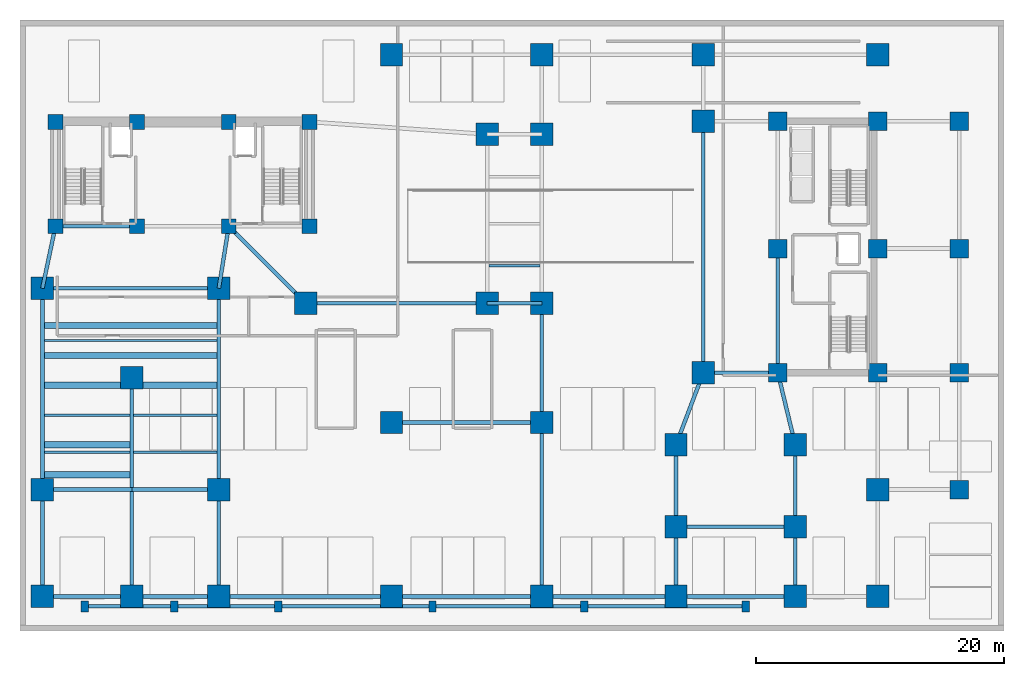
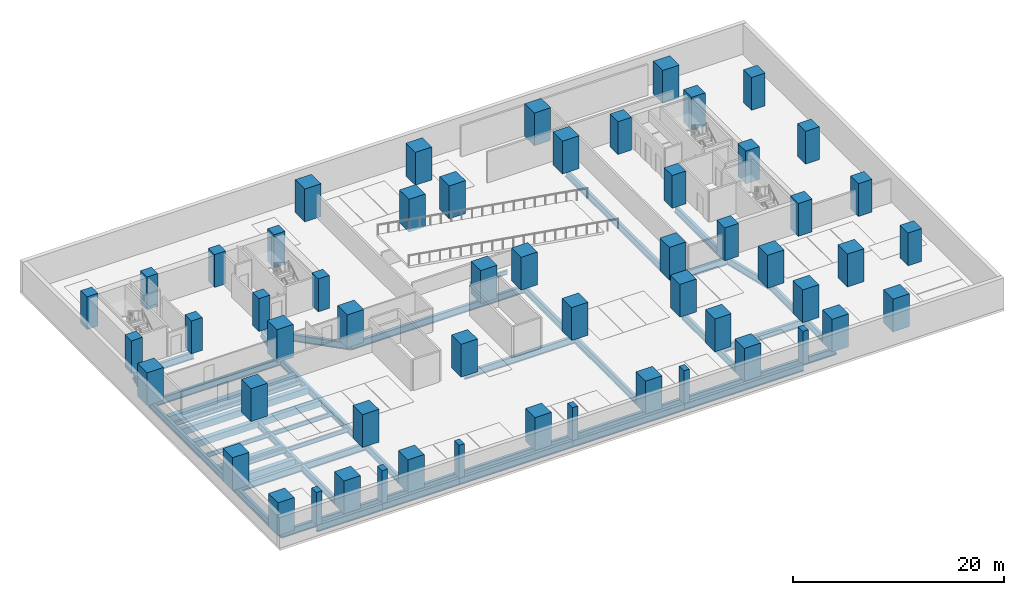
# One storey, part 1 of 9: 55 columns, 48 beams.
"""IFC4 building model written with IfcOpenShell, lengths in metres."""

from ifc_helpers import new_model, si_unit, direction, frame, origin, origin_2d, place, context, subcontext, project, spatial, rectangle, i_section, extrude, material, material_profile, profile_set, type_object, element, save


model = new_model("IFC4")

# Units and contexts
model_context = context("Model", 3, precision=1e-05, world=origin(), true_north=direction((0.0, 1.0)))
body_context = subcontext(model_context, "Body", "Model", "MODEL_VIEW")
ifc_project = project(units=[si_unit("LENGTHUNIT", "METRE"), si_unit("AREAUNIT", "SQUARE_METRE"), si_unit("VOLUMEUNIT", "CUBIC_METRE"), si_unit("PLANEANGLEUNIT", "RADIAN"), si_unit("MASSUNIT", "GRAM", prefix="KILO")], contexts=[model_context])

# Site, building, storey
site_placement = place(None, origin())
site = spatial("IfcSite", under=ifc_project, at=site_placement, CompositionType="ELEMENT")
building_placement = place(site_placement, origin())
building = spatial("IfcBuilding", under=site, at=building_placement, Name="Kuzgunbayir Cultural Tower", CompositionType="ELEMENT")
storey_placement = place(building_placement, frame((0.0, 0.0, -7.60009765625)))
storey = spatial("IfcBuildingStorey", under=building, at=storey_placement, Name="B02", CompositionType="ELEMENT", Elevation=-7.60009765625)

# Columns
ifc_material_1 = material(Name="Concrete C60/75", Category="concrete")
ifc_material_profile_1 = material_profile(ifc_material_1, rectangle(XDim=1.199951171875, YDim=1.199951171875, at=origin_2d()), Name="RC 1200x1200")
ifc_profile_set_1 = profile_set([ifc_material_profile_1], Name="Concrete C60/75")
column_type_1 = type_object("IfcColumnType", Name="COL-CORE-1200", PredefinedType="COLUMN", material=ifc_profile_set_1)
for number, where, z_axis, x_axis, name in (
    (1, (6.449951171875, 33.800048828125, 0.0), (0.0, 0.0, 1.0), (1.0, 0.0, 0.0), "B02 T1 Core Boundary Column CC1-1"),
    (2, (13.0, 33.800048828125, 0.0), (0.0, 0.0, 1.0), (1.0, 0.0, 0.0), "B02 T1 Core Boundary Column CC1-2"),
    (3, (20.39990234375, 33.800048828125, 0.0), (0.0, 0.0, 1.0), (1.0, 0.0, 0.0), "B02 T1 Core Boundary Column CC1-3"),
    (4, (26.89990234375, 33.800048828125, 0.0), (0.0, 0.0, 1.0), (1.0, 0.0, 0.0), "B02 T1 Core Boundary Column CC1-4"),
    (5, (6.449951171875, 42.199951171875, 0.0), (0.0, 0.0, 1.0), (1.0, 0.0, 0.0), "B02 T1 Core Boundary Column CC1-5"),
    (6, (13.0, 42.199951171875, 0.0), (0.0, 0.0, 1.0), (1.0, 0.0, 0.0), "B02 T1 Core Boundary Column CC1-6"),
    (7, (20.39990234375, 42.199951171875, 0.0), (0.0, 0.0, 1.0), (1.0, 0.0, 0.0), "B02 T1 Core Boundary Column CC1-7"),
    (8, (26.89990234375, 42.199951171875, 0.0), (0.0, 0.0, 1.0), (1.0, 0.0, 0.0), "B02 T1 Core Boundary Column CC1-8"),
):
    element("IfcColumn", number, at=place(storey_placement, frame(where, z_axis=z_axis, x_axis=x_axis)), inside=storey, type_object=column_type_1, Name=name, PredefinedType="COLUMN", context=body_context, shape_type="SweptSolid", body=[
        extrude(rectangle(XDim=1.199951171875, YDim=1.199951171875, at=origin_2d()), origin(), (0.0, 0.0, 1.0), 3.800048828125),
    ])
ifc_material_profile_2 = material_profile(ifc_material_1, rectangle(XDim=1.5, YDim=1.5, at=origin_2d()), Name="RC 1500x1500")
ifc_profile_set_2 = profile_set([ifc_material_profile_2], Name="Concrete C60/75")
column_type_2 = type_object("IfcColumnType", Name="COL-MEGA-1500", PredefinedType="COLUMN", material=ifc_profile_set_2)
for number, where, z_axis, x_axis, name in (
    (9, (64.60009765625, 22.0, 0.0), (0.0, 0.0, 1.0), (1.0, 0.0, 0.0), "B02 T2 Core Boundary Column CC2-1"),
    (10, (72.64990234375, 22.0, 0.0), (0.0, 0.0, 1.0), (1.0, 0.0, 0.0), "B02 T2 Core Boundary Column CC2-2"),
    (11, (64.60009765625, 32.0, 0.0), (0.0, 0.0, 1.0), (1.0, 0.0, 0.0), "B02 T2 Core Boundary Column CC2-3"),
    (12, (72.64990234375, 32.0, 0.0), (0.0, 0.0, 1.0), (1.0, 0.0, 0.0), "B02 T2 Core Boundary Column CC2-4"),
    (13, (64.60009765625, 42.25, 0.0), (0.0, 0.0, 1.0), (1.0, 0.0, 0.0), "B02 T2 Core Boundary Column CC2-5"),
    (14, (72.64990234375, 42.25, 0.0), (0.0, 0.0, 1.0), (1.0, 0.0, 0.0), "B02 T2 Core Boundary Column CC2-6"),
    (15, (79.199951171875, 12.60009765625, 0.0), (0.0, 0.0, 1.0), (1.0, 0.0, 0.0), "B02 East Substructure Column 1"),
    (16, (79.199951171875, 22.0, 0.0), (0.0, 0.0, 1.0), (1.0, 0.0, 0.0), "B02 East Substructure Column 2"),
    (17, (79.199951171875, 32.0, 0.0), (0.0, 0.0, 1.0), (1.0, 0.0, 0.0), "B02 East Substructure Column 3"),
    (18, (79.199951171875, 42.25, 0.0), (0.0, 0.0, 1.0), (1.0, 0.0, 0.0), "B02 East Substructure Column 4"),
):
    element("IfcColumn", number, at=place(storey_placement, frame(where, z_axis=z_axis, x_axis=x_axis)), inside=storey, type_object=column_type_2, Name=name, PredefinedType="COLUMN", context=body_context, shape_type="SweptSolid", body=[
        extrude(rectangle(XDim=1.5, YDim=1.5, at=origin_2d()), origin(), (0.0, 0.0, 1.0), 3.800048828125),
    ])
ifc_material_profile_3 = material_profile(ifc_material_1, rectangle(XDim=1.800048828125, YDim=1.800048828125, at=origin_2d()), Name="RC 1800x1800")
ifc_profile_set_3 = profile_set([ifc_material_profile_3], Name="Concrete C60/75")
column_type_3 = type_object("IfcColumnType", Name="COL-MEGA-1800", PredefinedType="COLUMN", material=ifc_profile_set_3)
for number, where, z_axis, x_axis, name in (
    (19, (5.39990234375, 12.60009765625, 0.0), (0.0, 0.0, 1.0), (1.0, 0.0, 0.0), "B02 Podium Mega-Column PC-T1A-SW"),
    (20, (19.60009765625, 12.60009765625, 0.0), (0.0, 0.0, 1.0), (1.0, 0.0, 0.0), "B02 Podium Mega-Column PC-T1A-SE"),
    (21, (5.39990234375, 28.800048828125, 0.0), (0.0, 0.0, 1.0), (1.0, 0.0, 0.0), "B02 Podium Mega-Column PC-T1A-NW"),
    (22, (19.60009765625, 28.800048828125, 0.0), (0.0, 0.0, 1.0), (1.0, 0.0, 0.0), "B02 Podium Mega-Column PC-T1A-NE"),
    (23, (26.60009765625, 27.60009765625, 0.0), (0.0, 0.0, 1.0), (1.0, 0.0, 0.0), "B02 Podium Mega-Column PC-T1B-1S"),
    (24, (41.199951171875, 27.60009765625, 0.0), (0.0, 0.0, 1.0), (1.0, 0.0, 0.0), "B02 Podium Mega-Column PC-T1B-4S"),
    (25, (45.60009765625, 27.60009765625, 0.0), (0.0, 0.0, 1.0), (1.0, 0.0, 0.0), "B02 Podium Mega-Column PC-T1B-5S"),
    (26, (41.199951171875, 41.199951171875, 0.0), (0.0, 0.0, 1.0), (1.0, 0.0, 0.0), "B02 Podium Mega-Column PC-T1B-4N"),
    (27, (45.60009765625, 41.199951171875, 0.0), (0.0, 0.0, 1.0), (1.0, 0.0, 0.0), "B02 Podium Mega-Column PC-T1B-5N"),
    (28, (58.60009765625, 22.0, 0.0), (0.0, 0.0, 1.0), (1.0, 0.0, 0.0), "B02 Podium Mega-Column PC-T2A-SW"),
    (29, (58.60009765625, 42.25, 0.0), (0.0, 0.0, 1.0), (1.0, 0.0, 0.0), "B02 Podium Mega-Column PC-T2A-NW"),
    (30, (56.39990234375, 9.60009765625, 0.0), (0.0, 0.0, 1.0), (1.0, 0.0, 0.0), "B02 Podium Mega-Column PC-T2B-SW"),
    (31, (66.0, 9.60009765625, 0.0), (0.0, 0.0, 1.0), (1.0, 0.0, 0.0), "B02 Podium Mega-Column PC-T2B-SE"),
    (32, (56.39990234375, 16.199951171875, 0.0), (0.0, 0.0, 1.0), (1.0, 0.0, 0.0), "B02 Podium Mega-Column PC-T2B-MW"),
    (33, (66.0, 16.199951171875, 0.0), (0.0, 0.0, 1.0), (1.0, 0.0, 0.0), "B02 Podium Mega-Column PC-T2B-ME"),
    (34, (5.39990234375, 4.0, 0.0), (0.0, 0.0, 1.0), (1.0, 0.0, 0.0), "B02 Podium Mega-Column PC-P01"),
    (35, (12.60009765625, 4.0, 0.0), (0.0, 0.0, 1.0), (1.0, 0.0, 0.0), "B02 Podium Mega-Column PC-P02"),
    (36, (19.60009765625, 4.0, 0.0), (0.0, 0.0, 1.0), (1.0, 0.0, 0.0), "B02 Podium Mega-Column PC-P03"),
    (37, (33.5, 4.0, 0.0), (0.0, 0.0, 1.0), (1.0, 0.0, 0.0), "B02 Podium Mega-Column PC-P04"),
    (38, (45.60009765625, 4.0, 0.0), (0.0, 0.0, 1.0), (1.0, 0.0, 0.0), "B02 Podium Mega-Column PC-P05"),
    (39, (56.39990234375, 4.0, 0.0), (0.0, 0.0, 1.0), (1.0, 0.0, 0.0), "B02 Podium Mega-Column PC-P06"),
    (40, (66.0, 4.0, 0.0), (0.0, 0.0, 1.0), (1.0, 0.0, 0.0), "B02 Podium Mega-Column PC-P07"),
    (41, (72.64990234375, 4.0, 0.0), (0.0, 0.0, 1.0), (1.0, 0.0, 0.0), "B02 Podium Mega-Column PC-P08"),
    (42, (12.60009765625, 21.60009765625, 0.0), (0.0, 0.0, 1.0), (1.0, 0.0, 0.0), "B02 Podium Mega-Column PC-P09"),
    (43, (33.5, 18.0, 0.0), (0.0, 0.0, 1.0), (1.0, 0.0, 0.0), "B02 Podium Mega-Column PC-P10"),
    (44, (45.60009765625, 18.0, 0.0), (0.0, 0.0, 1.0), (1.0, 0.0, 0.0), "B02 Podium Mega-Column PC-P11"),
    (45, (72.64990234375, 12.60009765625, 0.0), (0.0, 0.0, 1.0), (1.0, 0.0, 0.0), "B02 Podium Mega-Column PC-P12"),
    (46, (33.5, 47.60009765625, 0.0), (0.0, 0.0, 1.0), (1.0, 0.0, 0.0), "B02 Podium Mega-Column PC-P13"),
    (47, (45.60009765625, 47.60009765625, 0.0), (0.0, 0.0, 1.0), (1.0, 0.0, 0.0), "B02 Podium Mega-Column PC-P14"),
    (48, (58.60009765625, 47.60009765625, 0.0), (0.0, 0.0, 1.0), (1.0, 0.0, 0.0), "B02 Podium Mega-Column PC-P15"),
    (49, (72.64990234375, 47.60009765625, 0.0), (0.0, 0.0, 1.0), (1.0, 0.0, 0.0), "B02 Podium Mega-Column PC-P16"),
):
    element("IfcColumn", number, at=place(storey_placement, frame(where, z_axis=z_axis, x_axis=x_axis)), inside=storey, type_object=column_type_3, Name=name, PredefinedType="COLUMN", context=body_context, shape_type="SweptSolid", body=[
        extrude(rectangle(XDim=1.800048828125, YDim=1.800048828125, at=origin_2d()), origin(), (0.0, 0.0, 1.0), 3.800048828125),
    ])
ifc_material_profile_4 = material_profile(ifc_material_1, rectangle(XDim=0.60009765625, YDim=0.89990234375, at=origin_2d()), Name="RC 600x900")
ifc_profile_set_4 = profile_set([ifc_material_profile_4], Name="Concrete C60/75")
column_type_4 = type_object("IfcColumnType", Name="COL-PILASTER-INT", PredefinedType="PILASTER", material=ifc_profile_set_4)
for number, where, z_axis, x_axis, name in (
    (50, (8.800048828125, 3.199951171875, 0.0), (0.0, 0.0, 1.0), (1.0, 0.0, 0.0), "B02 South Facade Pilaster 1"),
    (51, (16.0, 3.199951171875, 0.0), (0.0, 0.0, 1.0), (1.0, 0.0, 0.0), "B02 South Facade Pilaster 2"),
    (52, (24.39990234375, 3.199951171875, 0.0), (0.0, 0.0, 1.0), (1.0, 0.0, 0.0), "B02 South Facade Pilaster 3"),
    (53, (36.800048828125, 3.199951171875, 0.0), (0.0, 0.0, 1.0), (1.0, 0.0, 0.0), "B02 South Facade Pilaster 4"),
    (54, (49.0, 3.199951171875, 0.0), (0.0, 0.0, 1.0), (1.0, 0.0, 0.0), "B02 South Facade Pilaster 5"),
    (55, (62.0, 3.199951171875, 0.0), (0.0, 0.0, 1.0), (1.0, 0.0, 0.0), "B02 South Facade Pilaster 6"),
):
    element("IfcColumn", number, at=place(storey_placement, frame(where, z_axis=z_axis, x_axis=x_axis)), inside=storey, type_object=column_type_4, Name=name, PredefinedType="PILASTER", context=body_context, shape_type="SweptSolid", body=[
        extrude(rectangle(XDim=0.60009765625, YDim=0.89990234375, at=origin_2d()), origin(), (0.0, 0.0, 1.0), 3.800048828125),
    ])

# Beams
ifc_material_2 = material(Name="Steel S460M", Category="steel")
ifc_material_profile_5 = material_profile(ifc_material_2, i_section(OverallWidth=0.302978515625, OverallDepth=0.81396484375, WebThickness=0.02099609375, FlangeThickness=0.0400390625, FilletRadius=0.030029296875, at=origin_2d()), Name="HEM 800")
ifc_profile_set_5 = profile_set([ifc_material_profile_5], Name="Steel S460M")
beam_type_1 = type_object("IfcBeamType", Name="BM-GIR-HEM800", PredefinedType="BEAM", material=ifc_profile_set_5)
beam_1_placement = place(storey_placement, frame((5.39990234375, 4.0, -0.659912109375), z_axis=(1.0, 0.0, 0.0), x_axis=(0.0, 1.0, 0.0)))
element("IfcBeam", 56, at=beam_1_placement, inside=storey, type_object=beam_type_1, Name="B02 Podium South Girder 1", PredefinedType="BEAM", context=body_context, shape_type="SweptSolid", body=[
    extrude(i_section(OverallWidth=0.302978515625, OverallDepth=0.81396484375, WebThickness=0.02099609375, FlangeThickness=0.0400390625, FilletRadius=0.030029296875, at=origin_2d()), origin(), (0.0, 0.0, 1.0), 7.2001953125),
])
beam_2_placement = place(storey_placement, frame((12.60009765625, 4.0, -0.659912109375), z_axis=(1.0, 0.0, 0.0), x_axis=(0.0, 1.0, 0.0)))
element("IfcBeam", 57, at=beam_2_placement, inside=storey, type_object=beam_type_1, Name="B02 Podium South Girder 2", PredefinedType="BEAM", context=body_context, shape_type="SweptSolid", body=[
    extrude(i_section(OverallWidth=0.302978515625, OverallDepth=0.81396484375, WebThickness=0.02099609375, FlangeThickness=0.0400390625, FilletRadius=0.030029296875, at=origin_2d()), origin(), (0.0, 0.0, 1.0), 7.0),
])
beam_3_placement = place(storey_placement, frame((19.60009765625, 4.0, -0.659912109375), z_axis=(1.0, 0.0, 0.0), x_axis=(0.0, 1.0, 0.0)))
element("IfcBeam", 58, at=beam_3_placement, inside=storey, type_object=beam_type_1, Name="B02 Podium South Girder 3", PredefinedType="BEAM", context=body_context, shape_type="SweptSolid", body=[
    extrude(i_section(OverallWidth=0.302978515625, OverallDepth=0.81396484375, WebThickness=0.02099609375, FlangeThickness=0.0400390625, FilletRadius=0.030029296875, at=origin_2d()), origin(), (0.0, 0.0, 1.0), 13.89990234375),
])
beam_4_placement = place(storey_placement, frame((33.5, 4.0, -0.659912109375), z_axis=(1.0, 0.0, 0.0), x_axis=(0.0, 1.0, 0.0)))
element("IfcBeam", 59, at=beam_4_placement, inside=storey, type_object=beam_type_1, Name="B02 Podium South Girder 4", PredefinedType="BEAM", context=body_context, shape_type="SweptSolid", body=[
    extrude(i_section(OverallWidth=0.302978515625, OverallDepth=0.81396484375, WebThickness=0.02099609375, FlangeThickness=0.0400390625, FilletRadius=0.030029296875, at=origin_2d()), origin(), (0.0, 0.0, 1.0), 12.10009765625),
])
beam_5_placement = place(storey_placement, frame((45.60009765625, 4.0, -0.659912109375), z_axis=(1.0, 0.0, 0.0), x_axis=(0.0, 1.0, 0.0)))
element("IfcBeam", 60, at=beam_5_placement, inside=storey, type_object=beam_type_1, Name="B02 Podium South Girder 5", PredefinedType="BEAM", context=body_context, shape_type="SweptSolid", body=[
    extrude(i_section(OverallWidth=0.302978515625, OverallDepth=0.81396484375, WebThickness=0.02099609375, FlangeThickness=0.0400390625, FilletRadius=0.030029296875, at=origin_2d()), origin(), (0.0, 0.0, 1.0), 10.7998046875),
])
beam_6_placement = place(storey_placement, frame((56.39990234375, 4.0, -0.659912109375), z_axis=(1.0, 0.0, 0.0), x_axis=(0.0, 1.0, 0.0)))
element("IfcBeam", 61, at=beam_6_placement, inside=storey, type_object=beam_type_1, Name="B02 Podium South Girder 6", PredefinedType="BEAM", context=body_context, shape_type="SweptSolid", body=[
    extrude(i_section(OverallWidth=0.302978515625, OverallDepth=0.81396484375, WebThickness=0.02099609375, FlangeThickness=0.0400390625, FilletRadius=0.030029296875, at=origin_2d()), origin(), (0.0, 0.0, 1.0), 9.60009765625),
])
beam_7_placement = place(storey_placement, frame((8.800048828125, 3.199951171875, -0.659912109375), z_axis=(1.0, 0.0, 0.0), x_axis=(0.0, 1.0, 0.0)))
element("IfcBeam", 62, at=beam_7_placement, inside=storey, type_object=beam_type_1, Name="B02 South Edge Girder 1", PredefinedType="BEAM", context=body_context, shape_type="SweptSolid", body=[
    extrude(i_section(OverallWidth=0.302978515625, OverallDepth=0.81396484375, WebThickness=0.02099609375, FlangeThickness=0.0400390625, FilletRadius=0.030029296875, at=origin_2d()), origin(), (0.0, 0.0, 1.0), 7.199951171875),
])
beam_8_placement = place(storey_placement, frame((16.0, 3.199951171875, -0.659912109375), z_axis=(1.0, 0.0, 0.0), x_axis=(0.0, 1.0, 0.0)))
element("IfcBeam", 63, at=beam_8_placement, inside=storey, type_object=beam_type_1, Name="B02 South Edge Girder 2", PredefinedType="BEAM", context=body_context, shape_type="SweptSolid", body=[
    extrude(i_section(OverallWidth=0.302978515625, OverallDepth=0.81396484375, WebThickness=0.02099609375, FlangeThickness=0.0400390625, FilletRadius=0.030029296875, at=origin_2d()), origin(), (0.0, 0.0, 1.0), 8.39990234375),
])
beam_9_placement = place(storey_placement, frame((24.39990234375, 3.199951171875, -0.659912109375), z_axis=(1.0, 0.0, 0.0), x_axis=(0.0, 1.0, 0.0)))
element("IfcBeam", 64, at=beam_9_placement, inside=storey, type_object=beam_type_1, Name="B02 South Edge Girder 3", PredefinedType="BEAM", context=body_context, shape_type="SweptSolid", body=[
    extrude(i_section(OverallWidth=0.302978515625, OverallDepth=0.81396484375, WebThickness=0.02099609375, FlangeThickness=0.0400390625, FilletRadius=0.030029296875, at=origin_2d()), origin(), (0.0, 0.0, 1.0), 12.400146484375),
])
beam_10_placement = place(storey_placement, frame((36.800048828125, 3.199951171875, -0.659912109375), z_axis=(1.0, 0.0, 0.0), x_axis=(0.0, 1.0, 0.0)))
element("IfcBeam", 65, at=beam_10_placement, inside=storey, type_object=beam_type_1, Name="B02 South Edge Girder 4", PredefinedType="BEAM", context=body_context, shape_type="SweptSolid", body=[
    extrude(i_section(OverallWidth=0.302978515625, OverallDepth=0.81396484375, WebThickness=0.02099609375, FlangeThickness=0.0400390625, FilletRadius=0.030029296875, at=origin_2d()), origin(), (0.0, 0.0, 1.0), 12.199951171875),
])
beam_11_placement = place(storey_placement, frame((49.0, 3.199951171875, -0.659912109375), z_axis=(1.0, 0.0, 0.0), x_axis=(0.0, 1.0, 0.0)))
element("IfcBeam", 66, at=beam_11_placement, inside=storey, type_object=beam_type_1, Name="B02 South Edge Girder 5", PredefinedType="BEAM", context=body_context, shape_type="SweptSolid", body=[
    extrude(i_section(OverallWidth=0.302978515625, OverallDepth=0.81396484375, WebThickness=0.02099609375, FlangeThickness=0.0400390625, FilletRadius=0.030029296875, at=origin_2d()), origin(), (0.0, 0.0, 1.0), 13.0),
])
beam_12_placement = place(storey_placement, frame((5.39990234375, 12.60009765625, -0.659912109375), z_axis=(1.0, 0.0, 0.0), x_axis=(0.0, 1.0, 0.0)))
element("IfcBeam", 67, at=beam_12_placement, inside=storey, type_object=beam_type_1, Name="B02 Podium Primary Girder 1", PredefinedType="BEAM", context=body_context, shape_type="SweptSolid", body=[
    extrude(i_section(OverallWidth=0.302978515625, OverallDepth=0.81396484375, WebThickness=0.02099609375, FlangeThickness=0.0400390625, FilletRadius=0.030029296875, at=origin_2d()), origin(), (0.0, 0.0, 1.0), 7.2001953125),
])
beam_13_placement = place(storey_placement, frame((12.60009765625, 12.60009765625, -0.659912109375), z_axis=(1.0, 0.0, 0.0), x_axis=(0.0, 1.0, 0.0)))
element("IfcBeam", 68, at=beam_13_placement, inside=storey, type_object=beam_type_1, Name="B02 Podium Primary Girder 2", PredefinedType="BEAM", context=body_context, shape_type="SweptSolid", body=[
    extrude(i_section(OverallWidth=0.302978515625, OverallDepth=0.81396484375, WebThickness=0.02099609375, FlangeThickness=0.0400390625, FilletRadius=0.030029296875, at=origin_2d()), origin(), (0.0, 0.0, 1.0), 7.0),
])
beam_14_placement = place(storey_placement, frame((5.39990234375, 28.800048828125, -0.659912109375), z_axis=(1.0, 0.0, 0.0), x_axis=(0.0, 1.0, 0.0)))
element("IfcBeam", 69, at=beam_14_placement, inside=storey, type_object=beam_type_1, Name="B02 Podium Primary Girder 3", PredefinedType="BEAM", context=body_context, shape_type="SweptSolid", body=[
    extrude(i_section(OverallWidth=0.302978515625, OverallDepth=0.81396484375, WebThickness=0.02099609375, FlangeThickness=0.0400390625, FilletRadius=0.030029296875, at=origin_2d()), origin(), (0.0, 0.0, 1.0), 14.2001953125),
])
for number, where, z_axis, x_axis, name in (
    (70, (5.39990234375, 12.60009765625, -0.659912109375), (0.0, 1.0, 0.0), (-1.0, 0.0, 0.0), "B02 Podium Primary Girder 4"),
    (71, (19.60009765625, 12.60009765625, -0.659912109375), (0.0, 1.0, 0.0), (-1.0, 0.0, 0.0), "B02 Podium Primary Girder 5"),
):
    element("IfcBeam", number, at=place(storey_placement, frame(where, z_axis=z_axis, x_axis=x_axis)), inside=storey, type_object=beam_type_1, Name=name, PredefinedType="BEAM", context=body_context, shape_type="SweptSolid", body=[
        extrude(i_section(OverallWidth=0.302978515625, OverallDepth=0.81396484375, WebThickness=0.02099609375, FlangeThickness=0.0400390625, FilletRadius=0.030029296875, at=origin_2d()), origin(), (0.0, 0.0, 1.0), 16.199951171875),
    ])
beam_15_placement = place(storey_placement, frame((12.60009765625, 12.60009765625, -0.659912109375), z_axis=(0.0, 1.0, 0.0), x_axis=(-1.0, 0.0, 0.0)))
element("IfcBeam", 72, at=beam_15_placement, inside=storey, type_object=beam_type_1, Name="B02 Podium Primary Girder 6", PredefinedType="BEAM", context=body_context, shape_type="SweptSolid", body=[
    extrude(i_section(OverallWidth=0.302978515625, OverallDepth=0.81396484375, WebThickness=0.02099609375, FlangeThickness=0.0400390625, FilletRadius=0.030029296875, at=origin_2d()), origin(), (0.0, 0.0, 1.0), 9.0),
])
beam_16_placement = place(storey_placement, frame((5.39990234375, 28.800048828125, -0.659912109375), z_axis=(0.205526387753, 0.978651574329, 0.0), x_axis=(-0.978651574329, 0.205526387753, 0.0)))
element("IfcBeam", 73, at=beam_16_placement, inside=storey, type_object=beam_type_1, Name="B02 Podium Primary Girder 7", PredefinedType="BEAM", context=body_context, shape_type="SweptSolid", body=[
    extrude(i_section(OverallWidth=0.302978515625, OverallDepth=0.81396484375, WebThickness=0.02099609375, FlangeThickness=0.0400390625, FilletRadius=0.030029296875, at=origin_2d()), origin(), (0.0, 0.0, 1.0), 5.109130859375),
])
beam_17_placement = place(storey_placement, frame((19.60009765625, 28.800048828125, -0.659912109375), z_axis=(0.157952891656, 0.987446648694, 0.0), x_axis=(-0.987446648694, 0.157952891656, 0.0)))
element("IfcBeam", 74, at=beam_17_placement, inside=storey, type_object=beam_type_1, Name="B02 Podium Primary Girder 8", PredefinedType="BEAM", context=body_context, shape_type="SweptSolid", body=[
    extrude(i_section(OverallWidth=0.302978515625, OverallDepth=0.81396484375, WebThickness=0.02099609375, FlangeThickness=0.0400390625, FilletRadius=0.030029296875, at=origin_2d()), origin(), (0.0, 0.0, 1.0), 5.0634765625),
])
beam_18_placement = place(storey_placement, frame((20.39990234375, 33.800048828125, -0.659912109375), z_axis=(0.707120702941, -0.707092859158, 0.0), x_axis=(0.707092859158, 0.707120702941, 0.0)))
element("IfcBeam", 75, at=beam_18_placement, inside=storey, type_object=beam_type_1, Name="B02 Podium Primary Girder 9", PredefinedType="BEAM", context=body_context, shape_type="SweptSolid", body=[
    extrude(i_section(OverallWidth=0.302978515625, OverallDepth=0.81396484375, WebThickness=0.02099609375, FlangeThickness=0.0400390625, FilletRadius=0.030029296875, at=origin_2d()), origin(), (0.0, 0.0, 1.0), 8.768310546875),
])
beam_19_placement = place(storey_placement, frame((26.60009765625, 27.60009765625, -0.659912109375), z_axis=(1.0, 0.0, 0.0), x_axis=(0.0, 1.0, 0.0)))
element("IfcBeam", 76, at=beam_19_placement, inside=storey, type_object=beam_type_1, Name="B02 Podium Primary Girder 10", PredefinedType="BEAM", context=body_context, shape_type="SweptSolid", body=[
    extrude(i_section(OverallWidth=0.302978515625, OverallDepth=0.81396484375, WebThickness=0.02099609375, FlangeThickness=0.0400390625, FilletRadius=0.030029296875, at=origin_2d()), origin(), (0.0, 0.0, 1.0), 14.599853515625),
])
beam_20_placement = place(storey_placement, frame((41.199951171875, 27.60009765625, -0.659912109375), z_axis=(1.0, 0.0, 0.0), x_axis=(0.0, 1.0, 0.0)))
element("IfcBeam", 77, at=beam_20_placement, inside=storey, type_object=beam_type_1, Name="B02 Podium Primary Girder 11", PredefinedType="BEAM", context=body_context, shape_type="SweptSolid", body=[
    extrude(i_section(OverallWidth=0.302978515625, OverallDepth=0.81396484375, WebThickness=0.02099609375, FlangeThickness=0.0400390625, FilletRadius=0.030029296875, at=origin_2d()), origin(), (0.0, 0.0, 1.0), 4.400146484375),
])
beam_21_placement = place(storey_placement, frame((33.5, 18.0, -0.659912109375), z_axis=(1.0, 0.0, 0.0), x_axis=(0.0, 1.0, 0.0)))
element("IfcBeam", 78, at=beam_21_placement, inside=storey, type_object=beam_type_1, Name="B02 Podium Primary Girder 16", PredefinedType="BEAM", context=body_context, shape_type="SweptSolid", body=[
    extrude(i_section(OverallWidth=0.302978515625, OverallDepth=0.81396484375, WebThickness=0.02099609375, FlangeThickness=0.0400390625, FilletRadius=0.030029296875, at=origin_2d()), origin(), (0.0, 0.0, 1.0), 12.10009765625),
])
for number, where, z_axis, x_axis, name in (
    (79, (45.60009765625, 18.0, -0.659912109375), (0.0, 1.0, 0.0), (-1.0, 0.0, 0.0), "B02 Podium Primary Girder 17"),
    (80, (56.39990234375, 9.60009765625, -0.659912109375), (1.0, 0.0, 0.0), (0.0, 1.0, 0.0), "B02 Podium Primary Girder 18"),
):
    element("IfcBeam", number, at=place(storey_placement, frame(where, z_axis=z_axis, x_axis=x_axis)), inside=storey, type_object=beam_type_1, Name=name, PredefinedType="BEAM", context=body_context, shape_type="SweptSolid", body=[
        extrude(i_section(OverallWidth=0.302978515625, OverallDepth=0.81396484375, WebThickness=0.02099609375, FlangeThickness=0.0400390625, FilletRadius=0.030029296875, at=origin_2d()), origin(), (0.0, 0.0, 1.0), 9.60009765625),
    ])
beam_22_placement = place(storey_placement, frame((56.39990234375, 9.60009765625, -0.659912109375), z_axis=(0.0, 1.0, 0.0), x_axis=(-1.0, 0.0, 0.0)))
element("IfcBeam", 81, at=beam_22_placement, inside=storey, type_object=beam_type_1, Name="B02 Podium Primary Girder 19", PredefinedType="BEAM", context=body_context, shape_type="SweptSolid", body=[
    extrude(i_section(OverallWidth=0.302978515625, OverallDepth=0.81396484375, WebThickness=0.02099609375, FlangeThickness=0.0400390625, FilletRadius=0.030029296875, at=origin_2d()), origin(), (0.0, 0.0, 1.0), 6.599853515625),
])
beam_23_placement = place(storey_placement, frame((56.39990234375, 16.199951171875, -0.659912109375), z_axis=(0.354679148754, 0.93498807556, 0.0), x_axis=(-0.93498807556, 0.354679148754, 0.0)))
element("IfcBeam", 82, at=beam_23_placement, inside=storey, type_object=beam_type_1, Name="B02 Podium Primary Girder 20", PredefinedType="BEAM", context=body_context, shape_type="SweptSolid", body=[
    extrude(i_section(OverallWidth=0.302978515625, OverallDepth=0.81396484375, WebThickness=0.02099609375, FlangeThickness=0.0400390625, FilletRadius=0.030029296875, at=origin_2d()), origin(), (0.0, 0.0, 1.0), 6.203369140625),
])
beam_24_placement = place(storey_placement, frame((66.0, 9.60009765625, -0.659912109375), z_axis=(0.0, 1.0, 0.0), x_axis=(-1.0, 0.0, 0.0)))
element("IfcBeam", 83, at=beam_24_placement, inside=storey, type_object=beam_type_1, Name="B02 Podium Primary Girder 21", PredefinedType="BEAM", context=body_context, shape_type="SweptSolid", body=[
    extrude(i_section(OverallWidth=0.302978515625, OverallDepth=0.81396484375, WebThickness=0.02099609375, FlangeThickness=0.0400390625, FilletRadius=0.030029296875, at=origin_2d()), origin(), (0.0, 0.0, 1.0), 6.599853515625),
])
beam_25_placement = place(storey_placement, frame((66.0, 16.199951171875, -0.659912109375), z_axis=(-0.234623200431, 0.972086392158, 0.0), x_axis=(-0.972086392158, -0.234623200431, 0.0)))
element("IfcBeam", 84, at=beam_25_placement, inside=storey, type_object=beam_type_1, Name="B02 Podium Primary Girder 22", PredefinedType="BEAM", context=body_context, shape_type="SweptSolid", body=[
    extrude(i_section(OverallWidth=0.302978515625, OverallDepth=0.81396484375, WebThickness=0.02099609375, FlangeThickness=0.0400390625, FilletRadius=0.030029296875, at=origin_2d()), origin(), (0.0, 0.0, 1.0), 5.966552734375),
])
beam_26_placement = place(storey_placement, frame((58.60009765625, 22.0, -0.659912109375), z_axis=(1.0, 0.0, 0.0), x_axis=(0.0, 1.0, 0.0)))
element("IfcBeam", 85, at=beam_26_placement, inside=storey, type_object=beam_type_1, Name="B02 Podium Primary Girder 23", PredefinedType="BEAM", context=body_context, shape_type="SweptSolid", body=[
    extrude(i_section(OverallWidth=0.302978515625, OverallDepth=0.81396484375, WebThickness=0.02099609375, FlangeThickness=0.0400390625, FilletRadius=0.030029296875, at=origin_2d()), origin(), (0.0, 0.0, 1.0), 6.0),
])
beam_27_placement = place(storey_placement, frame((58.60009765625, 22.0, -0.659912109375), z_axis=(0.0, 1.0, 0.0), x_axis=(-1.0, 0.0, 0.0)))
element("IfcBeam", 86, at=beam_27_placement, inside=storey, type_object=beam_type_1, Name="B02 Podium Primary Girder 25", PredefinedType="BEAM", context=body_context, shape_type="SweptSolid", body=[
    extrude(i_section(OverallWidth=0.302978515625, OverallDepth=0.81396484375, WebThickness=0.02099609375, FlangeThickness=0.0400390625, FilletRadius=0.030029296875, at=origin_2d()), origin(), (0.0, 0.0, 1.0), 20.25),
])
beam_28_placement = place(storey_placement, frame((64.60009765625, 22.0, -0.659912109375), z_axis=(0.0, 1.0, 0.0), x_axis=(-1.0, 0.0, 0.0)))
element("IfcBeam", 87, at=beam_28_placement, inside=storey, type_object=beam_type_1, Name="B02 Podium Primary Girder 26", PredefinedType="BEAM", context=body_context, shape_type="SweptSolid", body=[
    extrude(i_section(OverallWidth=0.302978515625, OverallDepth=0.81396484375, WebThickness=0.02099609375, FlangeThickness=0.0400390625, FilletRadius=0.030029296875, at=origin_2d()), origin(), (0.0, 0.0, 1.0), 10.0),
])
beam_29_placement = place(storey_placement, frame((6.449951171875, 33.800048828125, -0.659912109375), z_axis=(1.0, 0.0, 0.0), x_axis=(0.0, 1.0, 0.0)))
element("IfcBeam", 88, at=beam_29_placement, inside=storey, type_object=beam_type_1, Name="B02 Podium Primary Girder 28", PredefinedType="BEAM", context=body_context, shape_type="SweptSolid", body=[
    extrude(i_section(OverallWidth=0.302978515625, OverallDepth=0.81396484375, WebThickness=0.02099609375, FlangeThickness=0.0400390625, FilletRadius=0.030029296875, at=origin_2d()), origin(), (0.0, 0.0, 1.0), 6.550048828125),
])
for number, where, z_axis, x_axis, name in (
    (89, (5.39990234375, 4.0, -0.659912109375), (0.0, 1.0, 0.0), (-1.0, 0.0, 0.0), "B02 Podium Primary Girder 33"),
    (90, (12.60009765625, 4.0, -0.659912109375), (0.0, 1.0, 0.0), (-1.0, 0.0, 0.0), "B02 Podium Primary Girder 34"),
    (91, (19.60009765625, 4.0, -0.659912109375), (0.0, 1.0, 0.0), (-1.0, 0.0, 0.0), "B02 Podium Primary Girder 35"),
):
    element("IfcBeam", number, at=place(storey_placement, frame(where, z_axis=z_axis, x_axis=x_axis)), inside=storey, type_object=beam_type_1, Name=name, PredefinedType="BEAM", context=body_context, shape_type="SweptSolid", body=[
        extrude(i_section(OverallWidth=0.302978515625, OverallDepth=0.81396484375, WebThickness=0.02099609375, FlangeThickness=0.0400390625, FilletRadius=0.030029296875, at=origin_2d()), origin(), (0.0, 0.0, 1.0), 8.60009765625),
    ])
beam_30_placement = place(storey_placement, frame((45.60009765625, 4.0, -0.659912109375), z_axis=(0.0, 1.0, 0.0), x_axis=(-1.0, 0.0, 0.0)))
element("IfcBeam", 92, at=beam_30_placement, inside=storey, type_object=beam_type_1, Name="B02 Podium Primary Girder 36", PredefinedType="BEAM", context=body_context, shape_type="SweptSolid", body=[
    extrude(i_section(OverallWidth=0.302978515625, OverallDepth=0.81396484375, WebThickness=0.02099609375, FlangeThickness=0.0400390625, FilletRadius=0.030029296875, at=origin_2d()), origin(), (0.0, 0.0, 1.0), 14.0),
])
for number, where, z_axis, x_axis, name in (
    (93, (56.39990234375, 4.0, -0.659912109375), (0.0, 1.0, 0.0), (-1.0, 0.0, 0.0), "B02 Podium Primary Girder 37"),
    (94, (66.0, 4.0, -0.659912109375), (0.0, 1.0, 0.0), (-1.0, 0.0, 0.0), "B02 Podium Primary Girder 38"),
):
    element("IfcBeam", number, at=place(storey_placement, frame(where, z_axis=z_axis, x_axis=x_axis)), inside=storey, type_object=beam_type_1, Name=name, PredefinedType="BEAM", context=body_context, shape_type="SweptSolid", body=[
        extrude(i_section(OverallWidth=0.302978515625, OverallDepth=0.81396484375, WebThickness=0.02099609375, FlangeThickness=0.0400390625, FilletRadius=0.030029296875, at=origin_2d()), origin(), (0.0, 0.0, 1.0), 5.60009765625),
    ])
ifc_material_3 = material(Name="Steel S355J2", Category="steel")
ifc_material_profile_6 = material_profile(ifc_material_3, i_section(OverallWidth=0.199951171875, OverallDepth=0.5, WebThickness=0.01025390625, FlangeThickness=0.01611328125, FilletRadius=0.02099609375, at=origin_2d()), Name="IPE 500")
ifc_profile_set_6 = profile_set([ifc_material_profile_6], Name="Steel S355J2")
beam_type_2 = type_object("IfcBeamType", Name="BM-JST-IPE500", PredefinedType="JOIST", material=ifc_profile_set_6)
for number, where, z_axis, x_axis, name in (
    (95, (5.550048828125, 15.60009765625, -0.5), (1.0, 0.0, 0.0), (0.0, 1.0, 0.0), "B02 Podium Joist A"),
    (96, (5.550048828125, 18.60009765625, -0.5), (1.0, 0.0, 0.0), (0.0, 1.0, 0.0), "B02 Podium Joist A"),
    (97, (5.550048828125, 24.60009765625, -0.5), (1.0, 0.0, 0.0), (0.0, 1.0, 0.0), "B02 Podium Joist A"),
):
    element("IfcBeam", number, at=place(storey_placement, frame(where, z_axis=z_axis, x_axis=x_axis)), inside=storey, type_object=beam_type_2, Name=name, PredefinedType="JOIST", context=body_context, shape_type="SweptSolid", body=[
        extrude(i_section(OverallWidth=0.199951171875, OverallDepth=0.5, WebThickness=0.01025390625, FlangeThickness=0.01611328125, FilletRadius=0.02099609375, at=origin_2d()), origin(), (0.0, 0.0, 1.0), 13.89990234375),
    ])
beam_31_placement = place(storey_placement, frame((41.35009765625, 30.60009765625, -0.5), z_axis=(1.0, 0.0, 0.0), x_axis=(0.0, 1.0, 0.0)))
element("IfcBeam", 98, at=beam_31_placement, inside=storey, type_object=beam_type_2, Name="B02 Podium Joist B", PredefinedType="JOIST", context=body_context, shape_type="SweptSolid", body=[
    extrude(i_section(OverallWidth=0.199951171875, OverallDepth=0.5, WebThickness=0.01025390625, FlangeThickness=0.01611328125, FilletRadius=0.02099609375, at=origin_2d()), origin(), (0.0, 0.0, 1.0), 4.099853515625),
])
ifc_material_4 = material(Name="Concrete C40/50", Category="concrete")
ifc_material_profile_7 = material_profile(ifc_material_4, rectangle(XDim=0.5, YDim=0.75, at=origin_2d()), Name="RC 500x750")
ifc_profile_set_7 = profile_set([ifc_material_profile_7], Name="Concrete C40/50")
beam_type_3 = type_object("IfcBeamType", Name="BM-RIB-RC500x750", PredefinedType="T_BEAM", material=ifc_profile_set_7)
for number, where, z_axis, x_axis, name in (
    (99, (5.550048828125, 13.800048828125, -0.619873046875), (1.0, 0.0, 0.0), (0.0, 1.0, 0.0), "B02 Car-Park Rib Beam 1"),
    (100, (5.550048828125, 16.199951171875, -0.619873046875), (1.0, 0.0, 0.0), (0.0, 1.0, 0.0), "B02 Car-Park Rib Beam 2"),
):
    element("IfcBeam", number, at=place(storey_placement, frame(where, z_axis=z_axis, x_axis=x_axis)), inside=storey, type_object=beam_type_3, Name=name, PredefinedType="T_BEAM", context=body_context, shape_type="SweptSolid", body=[
        extrude(rectangle(XDim=0.5, YDim=0.75, at=origin_2d()), origin(), (0.0, 0.0, 1.0), 6.89990234375),
    ])
for number, where, z_axis, x_axis, name in (
    (101, (5.550048828125, 21.0, -0.619873046875), (1.0, 0.0, 0.0), (0.0, 1.0, 0.0), "B02 Car-Park Rib Beam 4"),
    (102, (5.550048828125, 23.39990234375, -0.619873046875), (1.0, 0.0, 0.0), (0.0, 1.0, 0.0), "B02 Car-Park Rib Beam 5"),
    (103, (5.550048828125, 25.800048828125, -0.619873046875), (1.0, 0.0, 0.0), (0.0, 1.0, 0.0), "B02 Car-Park Rib Beam 6"),
):
    element("IfcBeam", number, at=place(storey_placement, frame(where, z_axis=z_axis, x_axis=x_axis)), inside=storey, type_object=beam_type_3, Name=name, PredefinedType="T_BEAM", context=body_context, shape_type="SweptSolid", body=[
        extrude(rectangle(XDim=0.5, YDim=0.75, at=origin_2d()), origin(), (0.0, 0.0, 1.0), 13.89990234375),
    ])

save(model, "model.ifc")
